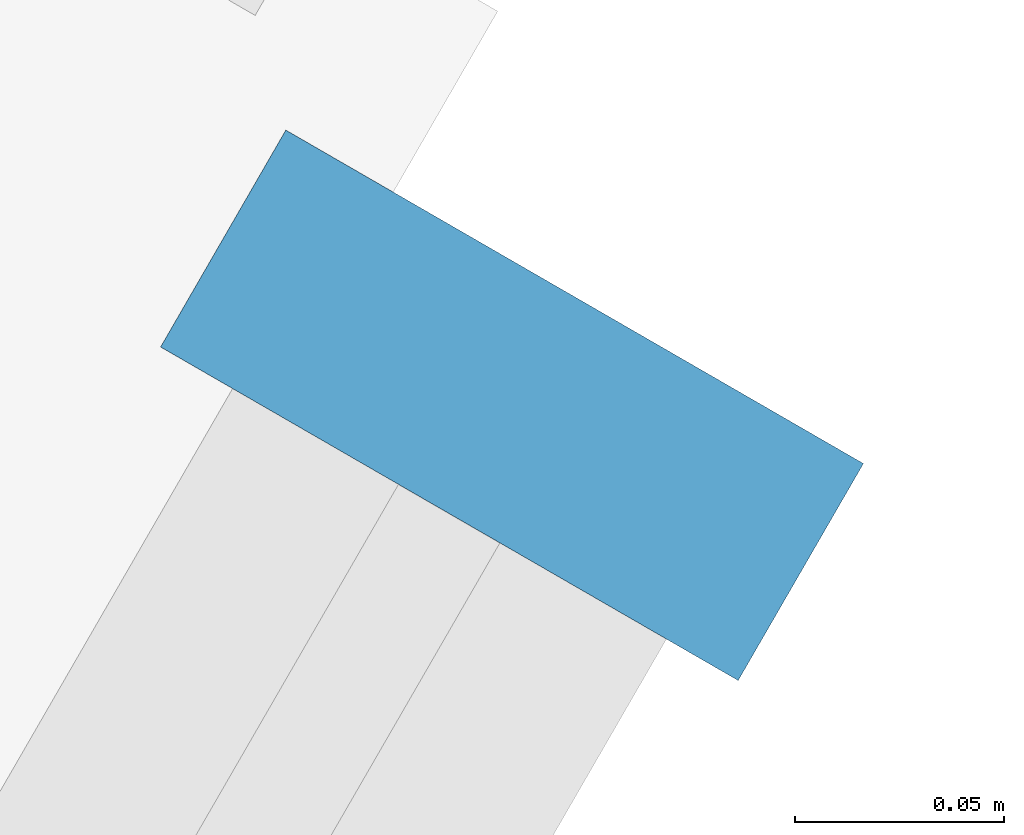
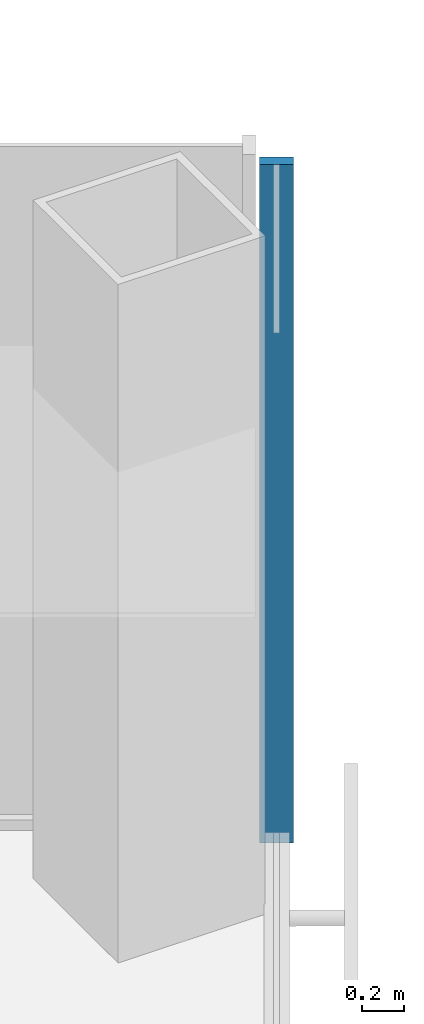
# One storey, part 9 of 18: 1 member, 1 element without a shape of its own.
"""IFC4 building model written with IfcOpenShell, lengths in metres."""

import ifcopenshell
import ifcopenshell.guid

model = None  # the IFC model being written
_history = None  # IfcOwnerHistory: only IFC2X3 demands one
_inside = {}  # id of a spatial element -> (the spatial element, [elements in it])
_under = {}  # id of a project, library or spatial element -> (it, [spatial elements below it])
_declared = {}  # id of a project -> (the project, [libraries it declares])
_typed = {}  # id of a type object -> (the type object, [elements of that type])
_made_of = {}  # id of a material, layer set ... -> (it, [elements and type objects made of it])


def new_model(schema):
    """Start an empty IFC model of exactly this schema.

    Asked for "IFC4X3", IfcOpenShell would pick the latest addendum, in which some entities
    have other attributes; the version numbers below select the first issue.
    IFC2X3 requires an IfcOwnerHistory on every rooted entity: one is made here for all.
    """
    global model, _history
    if schema == "IFC4X3":
        model = ifcopenshell.file(schema_version=(4, 3, 0, 0))
    else:
        model = ifcopenshell.file(schema=schema)
    _inside.clear()
    _under.clear()
    _declared.clear()
    _typed.clear()
    _made_of.clear()
    _history = None
    if model.schema == "IFC2X3":
        org = make("IfcOrganization", Name="unknown")
        user = make(
            "IfcPersonAndOrganization",
            ThePerson=make("IfcPerson", FamilyName="unknown"),
            TheOrganization=org,
        )
        app = make(
            "IfcApplication",
            ApplicationDeveloper=org,
            Version="unknown",
            ApplicationFullName="unknown",
            ApplicationIdentifier="unknown",
        )
        _history = make(
            "IfcOwnerHistory",
            OwningUser=user,
            OwningApplication=app,
            ChangeAction="ADDED",
            CreationDate=0,
        )
    return model


def make(cls, **values):
    """One entity of the class cls with the attributes given. An attribute that is None is left unset."""
    return model.create_entity(
        cls, **{name: value for name, value in values.items() if value is not None}
    )


def rooted(cls, **values):
    """An entity with a GlobalId (a new one), such as an element, a storey or a relation."""
    return make(cls, GlobalId=ifcopenshell.guid.new(), OwnerHistory=_history, **values)


def si_unit(unit_type, name, prefix=None):
    """IfcSIUnit, for example si_unit("LENGTHUNIT", "METRE", prefix="MILLI")."""
    return make("IfcSIUnit", UnitType=unit_type, Prefix=prefix, Name=name)


def assignment(units):
    """IfcUnitAssignment: the units of a project."""
    return None if units is None else make("IfcUnitAssignment", Units=units)


def point(xyz):
    """IfcCartesianPoint."""
    return None if xyz is None else make("IfcCartesianPoint", Coordinates=xyz)


def direction(xyz):
    """IfcDirection."""
    return None if xyz is None else make("IfcDirection", DirectionRatios=xyz)


def frame(location, z_axis=None, x_axis=None):
    """IfcAxis2Placement3D, a coordinate frame: its origin and axes. An axis left out is left unset."""
    return make(
        "IfcAxis2Placement3D",
        Location=point(location),
        Axis=direction(z_axis),
        RefDirection=direction(x_axis),
    )


def frame_2d(location, x_axis=None):
    """IfcAxis2Placement2D, a coordinate frame in the plane: its origin and x axis."""
    return make(
        "IfcAxis2Placement2D", Location=point(location), RefDirection=direction(x_axis)
    )


def origin():
    """The frame at (0, 0, 0) with its axes left unset."""
    return frame((0.0, 0.0, 0.0))


def origin_2d():
    """The frame at (0, 0) in the plane with its x axis left unset."""
    return frame_2d((0.0, 0.0))


def place(relative_to, where):
    """IfcLocalPlacement: puts the frame where relative to a parent placement (None: the world)."""
    return make(
        "IfcLocalPlacement", PlacementRelTo=relative_to, RelativePlacement=where
    )


def context(
    kind, dimensions, precision=None, world=None, true_north=None, identifier=None
):
    """IfcGeometricRepresentationContext, for example the 3D "Model" context."""
    return make(
        "IfcGeometricRepresentationContext",
        ContextIdentifier=identifier,
        ContextType=kind,
        CoordinateSpaceDimension=dimensions,
        Precision=precision,
        WorldCoordinateSystem=world,
        TrueNorth=true_north,
    )


def subcontext(parent, identifier, kind, view, scale=None):
    """IfcGeometricRepresentationSubContext, for example "Body" below "Model"."""
    return make(
        "IfcGeometricRepresentationSubContext",
        ContextIdentifier=identifier,
        ContextType=kind,
        ParentContext=parent,
        TargetScale=scale,
        TargetView=view,
    )


def project(units=None, contexts=None):
    """IfcProject with its units and contexts."""
    return rooted(
        "IfcProject",
        Name="project",
        RepresentationContexts=contexts,
        UnitsInContext=assignment(units),
    )


def spatial(cls, under=None, at=None, **own):
    """A site, building, storey or space (cls), placed at a placement, below another one or the project."""
    s = rooted(cls, ObjectPlacement=at, **own)
    if under is not None:
        _under.setdefault(under.id(), (under, []))[1].append(s)
    return s


def profile(cls, at=None, kind="AREA", **sizes):
    """A parametric profile (cls). Its sizes go by their IFC names, for example OverallWidth=200.0."""
    return make(cls, ProfileType=kind, Position=at, **sizes)


def rectangle(**sizes):
    """IfcRectangleProfileDef."""
    return profile("IfcRectangleProfileDef", **sizes)


def extrude(swept, where, along, depth):
    """IfcExtrudedAreaSolid: the profile swept, set in the frame where, extruded along a direction by depth."""
    return make(
        "IfcExtrudedAreaSolid",
        SweptArea=swept,
        Position=where,
        ExtrudedDirection=direction(along),
        Depth=depth,
    )


def shape(context_of_items, identifier, shape_type, items):
    """IfcShapeRepresentation: the items that make up one representation, for example the "Body"."""
    return make(
        "IfcShapeRepresentation",
        ContextOfItems=context_of_items,
        RepresentationIdentifier=identifier,
        RepresentationType=shape_type,
        Items=items,
    )


def material(Name=None, Category=None):
    """IfcMaterial."""
    return make("IfcMaterial", Name=Name, Category=Category)


def material_profile(
    of_material, cross_section, Name=None, Category=None, Priority=None
):
    """IfcMaterialProfile: a cross section and its material."""
    return make(
        "IfcMaterialProfile",
        Name=Name,
        Material=of_material,
        Profile=cross_section,
        Priority=Priority,
        Category=Category,
    )


def profile_set(profiles, Name=None, composite=None):
    """IfcMaterialProfileSet."""
    return make(
        "IfcMaterialProfileSet",
        Name=Name,
        MaterialProfiles=profiles,
        CompositeProfile=composite,
    )


def made_of(thing, what):
    """Note that an element or type object is made of a material, layer set ...; save() writes the relation."""
    if what is not None:
        _made_of.setdefault(what.id(), (what, []))[1].append(thing)
    return thing


def type_object(cls, material=None, **own):
    """A type object (cls), such as IfcWallType, which elements share."""
    return made_of(rooted(cls, **own), material)


def element(
    cls,
    number,
    at=None,
    inside=None,
    cuts=None,
    type_object=None,
    material=None,
    context=None,
    identifier="Body",
    shape_type=None,
    held_by="IfcProductDefinitionShape",
    body=None,
    shapes=None,
    **own,
):
    """One element of the class cls, such as IfcWall. Its Tag is "e" and its number.

    at: its placement. inside: the storey or other place that contains it. cuts: it is an
    opening in that element (IfcRelVoidsElement). A single representation is given by context,
    identifier, shape_type and body (its items); several are given by shapes. held_by: the class
    of the entity that holds the representations. save() writes the other relations.
    """
    e = rooted(cls, Tag="e%d" % number, ObjectPlacement=at, **own)
    if body is not None:
        shapes = [shape(context, identifier, shape_type, body)]
    if shapes is not None:
        e.Representation = make(held_by, Representations=shapes)
    if inside is not None:
        _inside.setdefault(inside.id(), (inside, []))[1].append(e)
    if cuts is not None:
        rooted(
            "IfcRelVoidsElement", RelatingBuildingElement=cuts, RelatedOpeningElement=e
        )
    if type_object is not None:
        _typed.setdefault(type_object.id(), (type_object, []))[1].append(e)
    return made_of(e, material)


def aggregate(whole, parts):
    """IfcRelAggregates: a whole, such as a stair, and the parts it consists of."""
    return rooted("IfcRelAggregates", RelatingObject=whole, RelatedObjects=parts)


def save(model, path):
    """Write the relations noted so far, then the file.

    IfcRelAggregates (storeys below a building ...), IfcRelContainedInSpatialStructure (elements
    in a storey), IfcRelDefinesByType, IfcRelAssociatesMaterial and IfcRelDeclares: one each for
    every whole, place, type object, material and project.
    """
    for whole, parts in _under.values():
        aggregate(whole, parts)
    for where, things in _inside.values():
        rooted(
            "IfcRelContainedInSpatialStructure",
            RelatedElements=things,
            RelatingStructure=where,
        )
    for kind, things in _typed.values():
        rooted("IfcRelDefinesByType", RelatedObjects=things, RelatingType=kind)
    for what, things in _made_of.values():
        rooted("IfcRelAssociatesMaterial", RelatedObjects=things, RelatingMaterial=what)
    for by, libraries in _declared.values():
        rooted("IfcRelDeclares", RelatingContext=by, RelatedDefinitions=libraries)
    model.write(path)


model = new_model("IFC4")

# Units and contexts
model_context = context("Model", 3, precision=1e-05, world=origin(), true_north=direction((0.0, 1.0)))
body_context = subcontext(model_context, "Body", "Model", "MODEL_VIEW")
ifc_project = project(units=[si_unit("LENGTHUNIT", "METRE"), si_unit("AREAUNIT", "SQUARE_METRE"), si_unit("VOLUMEUNIT", "CUBIC_METRE"), si_unit("PLANEANGLEUNIT", "RADIAN"), si_unit("MASSUNIT", "GRAM", prefix="KILO")], contexts=[model_context])

# Site, building, storey
site_placement = place(None, origin())
site = spatial("IfcSite", under=ifc_project, at=site_placement, CompositionType="ELEMENT")
building_placement = place(site_placement, origin())
building = spatial("IfcBuilding", under=site, at=building_placement, Name="Kasaneha Research Tower", CompositionType="ELEMENT")
storey_placement = place(building_placement, frame((0.0, 0.0, 61.199951171875)))
storey = spatial("IfcBuildingStorey", under=building, at=storey_placement, Name="L15", CompositionType="ELEMENT", Elevation=61.199951171875)

# Curtain wall, member
ifc_material_1 = material(Name="Glass and aluminium", Category="aluminium")
curtain_wall_type = type_object("IfcCurtainWallType", Name="Low-rise office curtain wall", PredefinedType="USERDEFINED", material=ifc_material_1)
curtain_wall_placement = place(storey_placement, origin())
curtain_wall = element("IfcCurtainWall", 1, at=curtain_wall_placement, inside=storey, type_object=curtain_wall_type, Name="CW-O1 L15 run 05a", ObjectType="UNITISED CURTAIN WALL", PredefinedType="USERDEFINED")
ifc_material_2 = material(Name="Aluminium 6063-T6", Category="aluminium")
ifc_material_profile = material_profile(ifc_material_2, rectangle(XDim=0.06005859375, YDim=0.159912109375, at=origin_2d()), Name="CW-O1 mullion 60x160")
ifc_profile_set = profile_set([ifc_material_profile], Name="Aluminium 6063-T6")
member_type = type_object("IfcMemberType", Name="CW-O1 mullion", PredefinedType="MULLION", material=ifc_profile_set)
member_placement = place(storey_placement, frame((32.012939453125, -6.39306640625, 0.0), z_axis=(0.0, 0.0, 1.0), x_axis=(0.500000011442, 0.866025397178, 0.0)))
member = element("IfcMember", 2, at=member_placement, type_object=member_type, Name="CW-O1 mullion 4", PredefinedType="MULLION", context=body_context, shape_type="SweptSolid", body=[
    extrude(rectangle(XDim=0.06005859375, YDim=0.159912109375, at=origin_2d()), origin(), (0.0, 0.0, 1.0), 3.900146484375),
])
aggregate(curtain_wall, [member])

save(model, "model.ifc")
